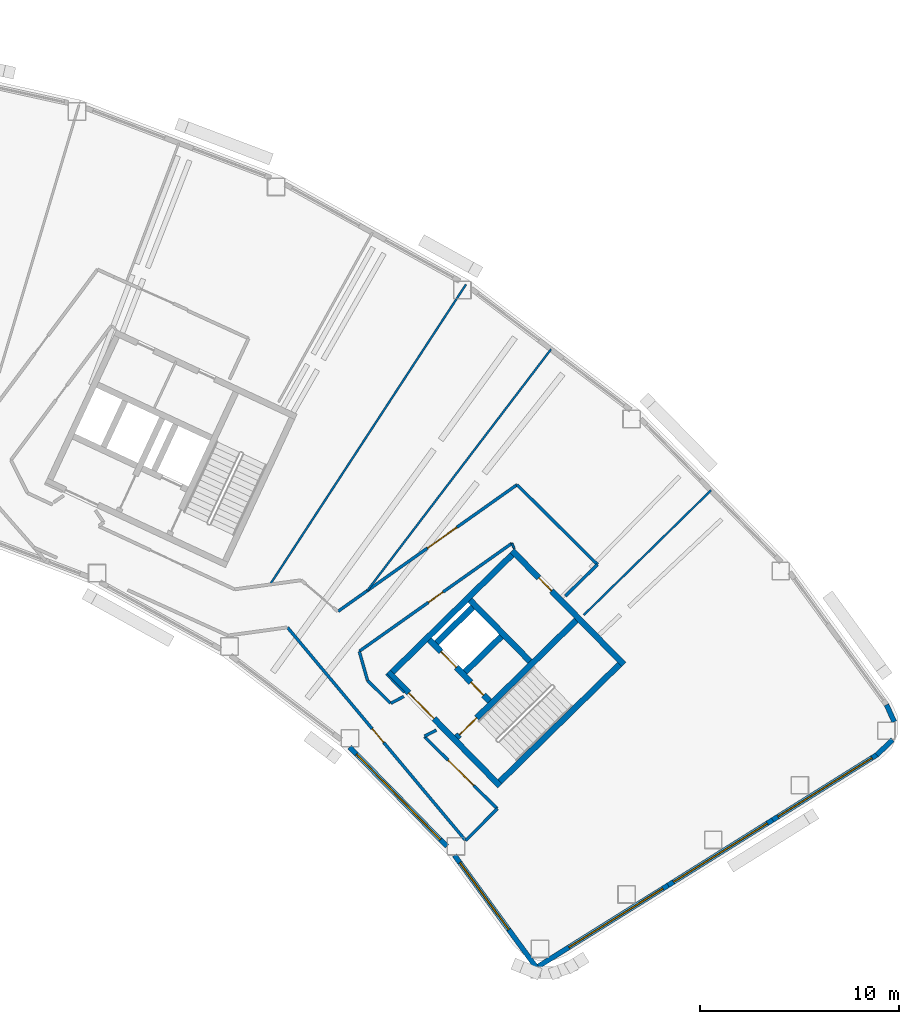
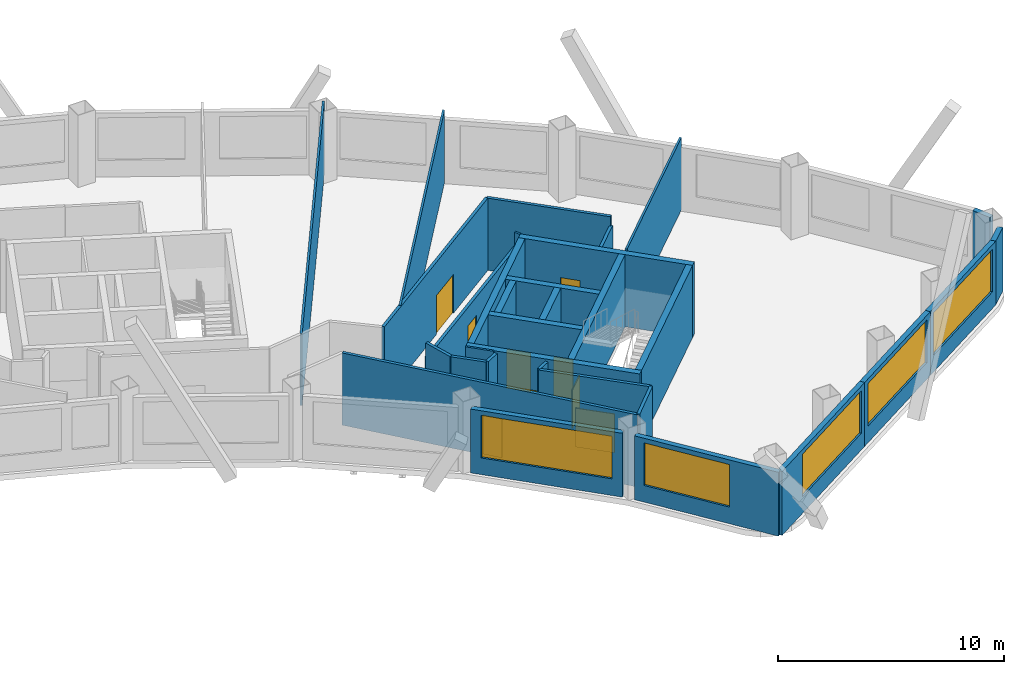
# One storey, part 9 of 14: 32 walls, 9 doors, 5 windows, 14 openings.
"""IFC4 building model written with IfcOpenShell, lengths in metres."""

from ifc_helpers import new_model, si_unit, direction, frame, frame_2d, origin, place, context, subcontext, project, spatial, rectangle, extrude, material, layer, layer_set, type_object, element, fill, save


model = new_model("IFC4")

# Units and contexts
model_context = context("Model", 3, precision=1e-05, world=origin(), true_north=direction((0.0, 1.0)))
body_context = subcontext(model_context, "Body", "Model", "MODEL_VIEW")
ifc_project = project(units=[si_unit("LENGTHUNIT", "METRE"), si_unit("AREAUNIT", "SQUARE_METRE"), si_unit("VOLUMEUNIT", "CUBIC_METRE"), si_unit("PLANEANGLEUNIT", "RADIAN"), si_unit("MASSUNIT", "GRAM", prefix="KILO")], contexts=[model_context])

# Site, building, storey
site_placement = place(None, origin())
site = spatial("IfcSite", under=ifc_project, at=site_placement, CompositionType="ELEMENT")
building_placement = place(site_placement, origin())
building = spatial("IfcBuilding", under=site, at=building_placement, Name="Tuul Gate Civic Tower", CompositionType="ELEMENT")
storey_placement = place(building_placement, frame((0.0, 0.0, 209.5)))
storey = spatial("IfcBuildingStorey", under=building, at=storey_placement, Name="Level 47", CompositionType="ELEMENT", Elevation=209.5)

# Wall, opening, door
ifc_material_1 = material(Name="Concrete C50/60", Category="concrete")
ifc_layer_1 = layer(ifc_material_1, 0.300048828125)
ifc_layer_set_1 = layer_set([ifc_layer_1], Name="Concrete C50/60")
wall_type_1 = type_object("IfcWallType", Name="Core wall C50/60", PredefinedType="SHEAR", material=ifc_layer_set_1)
wall_1_placement = place(storey_placement, frame((48.22509765625, -18.327880859375, 0.0), z_axis=(0.0, 0.0, 1.0), x_axis=(-0.700021979774, 0.714121297703, 0.0)))
wall_1 = element("IfcWall", 1, at=wall_1_placement, inside=storey, type_object=wall_type_1, Name="Core wall", PredefinedType="SHEAR", context=body_context, shape_type="SweptSolid", body=[
    extrude(rectangle(XDim=8.0, YDim=0.300048828125, at=frame_2d((4.0, 0.0))), origin(), (0.0, 0.0, 1.0), 3.89990234375),
])
opening_1_placement = place(wall_1_placement, frame((4.72509765625, 0.0, 0.0)))
opening_1 = element("IfcOpeningElement", 2, at=opening_1_placement, cuts=wall_1, Name="Opening LB-E1-LOBBY-1", PredefinedType="OPENING", context=body_context, shape_type="SweptSolid", body=[
    extrude(rectangle(XDim=1.800048828125, YDim=2.10009765625, at=frame_2d((0.89990234375, 1.050048828125))), frame((0.0, 0.16015625, 0.0), z_axis=(0.0, -1.0, 0.0), x_axis=(1.0, 0.0, 0.0)), (0.0, 0.0, 1.0), 0.320068359375),
])
ifc_material_2 = material(Name="Steel", Category="steel")
door_type_1 = type_object("IfcDoorType", Name="Lobby door", OperationType="DOUBLE_DOOR_SINGLE_SWING", PredefinedType="DOOR", material=ifc_material_2)
door_1_placement = place(opening_1_placement, frame((1.800048828125, 0.0, 0.0), z_axis=(0.0, 0.0, 1.0), x_axis=(-1.0, 0.0, 0.0)))
door_1 = element("IfcDoor", 3, at=door_1_placement, inside=storey, type_object=door_type_1, Name="Lobby door E1-LOBBY", OperationType="DOUBLE_DOOR_SINGLE_SWING", OverallHeight=2.10009765625, OverallWidth=1.800048828125, PredefinedType="DOOR", context=body_context, shape_type="SweptSolid", body=[
    extrude(rectangle(XDim=1.800048828125, YDim=2.10009765625, at=frame_2d((0.900146484375, 1.050048828125))), frame((0.0, 0.02490234375, 0.0), z_axis=(0.0, -1.0, 0.0), x_axis=(1.0, 0.0, 0.0)), (0.0, 0.0, 1.0), 0.050048828125),
])
fill(opening_1, door_1)

# Wall, openings, doors
wall_2_placement = place(storey_placement, frame((47.701904296875, -14.079833984375, 0.0), z_axis=(0.0, 0.0, 1.0), x_axis=(-0.700002721075, 0.714140175657, 0.0)))
wall_2 = element("IfcWall", 4, at=wall_2_placement, inside=storey, type_object=wall_type_1, Name="Core wall", PredefinedType="SHEAR", context=body_context, shape_type="SweptSolid", body=[
    extrude(rectangle(XDim=4.300048828125, YDim=0.300048828125, at=frame_2d((2.14990234375, 0.0))), origin(), (0.0, 0.0, 1.0), 3.89990234375),
])
opening_2_placement = place(wall_2_placement, frame((0.425048828125, 0.0, 0.0)))
opening_2 = element("IfcOpeningElement", 5, at=opening_2_placement, cuts=wall_2, Name="Opening FB-E1A1", PredefinedType="OPENING", context=body_context, shape_type="SweptSolid", body=[
    extrude(rectangle(XDim=0.89990234375, YDim=2.10009765625, at=frame_2d((0.449951171875, 1.050048828125))), frame((0.0, 0.16015625, 0.0), z_axis=(0.0, -1.0, 0.0), x_axis=(1.0, 0.0, 0.0)), (0.0, 0.0, 1.0), 0.320068359375),
])
opening_3_placement = place(wall_2_placement, frame((2.375, 0.0, 0.0)))
opening_3 = element("IfcOpeningElement", 6, at=opening_3_placement, cuts=wall_2, Name="Opening LD-M3", PredefinedType="OPENING", context=body_context, shape_type="SweptSolid", body=[
    extrude(rectangle(XDim=1.10009765625, YDim=2.10009765625, at=frame_2d((0.550048828125, 1.050048828125))), frame((0.0, 0.16015625, 0.0), z_axis=(0.0, -1.0, 0.0), x_axis=(1.0, 0.0, 0.0)), (0.0, 0.0, 1.0), 0.320068359375),
])
ifc_material_3 = material(Name="Stainless steel", Category="steel")
door_type_2 = type_object("IfcDoorType", Name="Landing door", OperationType="DOUBLE_DOOR_SLIDING", PredefinedType="DOOR", material=ifc_material_3)
door_2_placement = place(opening_3_placement, origin())
door_2 = element("IfcDoor", 7, at=door_2_placement, inside=storey, type_object=door_type_2, Name="Mid-rise lift M3 landing door", OperationType="DOUBLE_DOOR_SLIDING", OverallHeight=2.10009765625, OverallWidth=1.10009765625, PredefinedType="DOOR", context=body_context, shape_type="SweptSolid", body=[
    extrude(rectangle(XDim=1.10009765625, YDim=2.10009765625, at=frame_2d((0.550048828125, 1.050048828125))), frame((0.0, 0.02490234375, 0.0), z_axis=(0.0, -1.0, 0.0), x_axis=(1.0, 0.0, 0.0)), (0.0, 0.0, 1.0), 0.050048828125),
])
fill(opening_3, door_2)
ifc_material_4 = material(Name="Steel", Category="steel")
door_type_3 = type_object("IfcDoorType", Name="Store door", OperationType="NOTDEFINED", PredefinedType="DOOR", material=ifc_material_4)
door_3_placement = place(opening_2_placement, frame((0.89990234375, 0.0, 0.0), z_axis=(0.0, 0.0, 1.0), x_axis=(-1.0, 0.0, 0.0)))
door_3 = element("IfcDoor", 8, at=door_3_placement, inside=storey, type_object=door_type_3, Name="Store door E1A1", OperationType="SINGLE_SWING_RIGHT", OverallHeight=2.10009765625, OverallWidth=0.89990234375, PredefinedType="DOOR", context=body_context, shape_type="SweptSolid", body=[
    extrude(rectangle(XDim=0.89990234375, YDim=2.10009765625, at=frame_2d((0.449951171875, 1.050048828125))), frame((0.0, 0.02490234375, 0.0), z_axis=(0.0, -1.0, 0.0), x_axis=(1.0, 0.0, 0.0)), (0.0, 0.0, 1.0), 0.050048828125),
])
fill(opening_2, door_3)

# Wall
wall_3_placement = place(storey_placement, frame((49.737060546875, -12.0849609375, 0.0), z_axis=(0.0, 0.0, 1.0), x_axis=(-0.700002721075, 0.714140175657, 0.0)))
element("IfcWall", 9, at=wall_3_placement, inside=storey, type_object=wall_type_1, Name="Core wall", PredefinedType="SHEAR", context=body_context, shape_type="SweptSolid", body=[
    extrude(rectangle(XDim=4.300048828125, YDim=0.300048828125, at=frame_2d((2.14990234375, 0.0))), origin(), (0.0, 0.0, 1.0), 3.89990234375),
])

# Wall, opening, door
wall_4_placement = place(storey_placement, frame((54.43798828125, -12.23779296875, 0.0), z_axis=(0.0, 0.0, 1.0), x_axis=(-0.700021979774, 0.714121297703, 0.0)))
wall_4 = element("IfcWall", 10, at=wall_4_placement, inside=storey, type_object=wall_type_1, Name="Core wall", PredefinedType="SHEAR", context=body_context, shape_type="SweptSolid", body=[
    extrude(rectangle(XDim=8.0, YDim=0.300048828125, at=frame_2d((4.0, 0.0))), origin(), (0.0, 0.0, 1.0), 3.89990234375),
])
opening_4_placement = place(wall_4_placement, frame((5.175048828125, 0.0, 0.0)))
opening_4 = element("IfcOpeningElement", 11, at=opening_4_placement, cuts=wall_4, Name="Opening Q-D28", PredefinedType="OPENING", context=body_context, shape_type="SweptSolid", body=[
    extrude(rectangle(XDim=0.89990234375, YDim=2.10009765625, at=frame_2d((0.449951171875, 1.050048828125))), frame((0.0, 0.16015625, 0.0), z_axis=(0.0, -1.0, 0.0), x_axis=(1.0, 0.0, 0.0)), (0.0, 0.0, 1.0), 0.320068359375),
])
ifc_material_5 = material(Name="Timber door leaf", Category="wood")
door_type_4 = type_object("IfcDoorType", Name="Door D09", OperationType="NOTDEFINED", PredefinedType="DOOR", material=ifc_material_5)
door_4_placement = place(opening_4_placement, origin())
door_4 = element("IfcDoor", 12, at=door_4_placement, inside=storey, type_object=door_type_4, Name="Door Q-D28", OperationType="SINGLE_SWING_LEFT", OverallHeight=2.10009765625, OverallWidth=0.89990234375, PredefinedType="DOOR", context=body_context, shape_type="SweptSolid", body=[
    extrude(rectangle(XDim=0.89990234375, YDim=2.10009765625, at=frame_2d((0.449951171875, 1.050048828125))), frame((0.0, 0.02490234375, 0.0), z_axis=(0.0, -1.0, 0.0), x_axis=(1.0, 0.0, 0.0)), (0.0, 0.0, 1.0), 0.050048828125),
])
fill(opening_4, door_4)

# Wall
wall_5_placement = place(storey_placement, frame((48.227294921875, -18.115966796875, 0.0), z_axis=(0.0, 0.0, 1.0), x_axis=(0.714105315431, 0.700038283577, 0.0)))
element("IfcWall", 13, at=wall_5_placement, inside=storey, type_object=wall_type_1, Name="Core wall", PredefinedType="SHEAR", context=body_context, shape_type="SweptSolid", body=[
    extrude(rectangle(XDim=8.400146484375, YDim=0.300048828125, at=frame_2d((4.2001953125, 0.0))), origin(), (0.0, 0.0, 1.0), 3.89990234375),
])

# Wall, opening, door
wall_6_placement = place(storey_placement, frame((46.05712890625, -15.902099609375, 0.0), z_axis=(0.0, 0.0, 1.0), x_axis=(0.714134086973, 0.700008932674, 0.0)))
wall_6 = element("IfcWall", 14, at=wall_6_placement, inside=storey, type_object=wall_type_1, Name="Core wall", PredefinedType="SHEAR", context=body_context, shape_type="SweptSolid", body=[
    extrude(rectangle(XDim=8.400146484375, YDim=0.300048828125, at=frame_2d((4.2001953125, 0.0))), origin(), (0.0, 0.0, 1.0), 3.89990234375),
])
opening_5_placement = place(wall_6_placement, frame((0.199951171875, 0.0, 0.0)))
opening_5 = element("IfcOpeningElement", 15, at=opening_5_placement, cuts=wall_6, Name="Opening SD-ST-3", PredefinedType="OPENING", context=body_context, shape_type="SweptSolid", body=[
    extrude(rectangle(XDim=1.199951171875, YDim=2.10009765625, at=frame_2d((0.60009765625, 1.050048828125))), frame((0.0, 0.16015625, 0.0), z_axis=(0.0, -1.0, 0.0), x_axis=(1.0, 0.0, 0.0)), (0.0, 0.0, 1.0), 0.320068359375),
])
ifc_material_6 = material(Name="Steel", Category="steel")
door_type_5 = type_object("IfcDoorType", Name="Stair door", OperationType="NOTDEFINED", PredefinedType="DOOR", material=ifc_material_6)
door_5_placement = place(opening_5_placement, origin())
door_5 = element("IfcDoor", 16, at=door_5_placement, inside=storey, type_object=door_type_5, Name="Stair door ST-3", OperationType="SINGLE_SWING_LEFT", OverallHeight=2.10009765625, OverallWidth=1.199951171875, PredefinedType="DOOR", context=body_context, shape_type="SweptSolid", body=[
    extrude(rectangle(XDim=1.199951171875, YDim=2.10009765625, at=frame_2d((0.60009765625, 1.050048828125))), frame((0.0, 0.02490234375, 0.0), z_axis=(0.0, -1.0, 0.0), x_axis=(1.0, 0.0, 0.0)), (0.0, 0.0, 1.0), 0.050048828125),
])
fill(opening_5, door_5)

# Walls
wall_7_placement = place(storey_placement, frame((46.47900390625, -12.617919921875, 0.0), z_axis=(0.0, 0.0, 1.0), x_axis=(0.71410944159, 0.700034074479, 0.0)))
element("IfcWall", 17, at=wall_7_placement, inside=storey, type_object=wall_type_1, Name="Core wall", PredefinedType="SHEAR", context=body_context, shape_type="SweptSolid", body=[
    extrude(rectangle(XDim=2.5498046875, YDim=0.300048828125, at=frame_2d((1.27490234375, 0.0))), origin(), (0.0, 0.0, 1.0), 3.89990234375),
])
wall_8_placement = place(storey_placement, frame((45.0439453125, -11.154052734375, 0.0), z_axis=(0.0, 0.0, 1.0), x_axis=(0.714108498262, 0.700035036773, 0.0)))
element("IfcWall", 18, at=wall_8_placement, inside=storey, type_object=wall_type_1, Name="Core wall", PredefinedType="SHEAR", context=body_context, shape_type="SweptSolid", body=[
    extrude(rectangle(XDim=2.550048828125, YDim=0.300048828125, at=frame_2d((1.27490234375, 0.0))), origin(), (0.0, 0.0, 1.0), 3.89990234375),
])
wall_9_placement = place(storey_placement, frame((42.837158203125, -12.616943359375, 0.0), z_axis=(0.0, 0.0, 1.0), x_axis=(0.714119844755, 0.700023461983, 0.0)))
element("IfcWall", 19, at=wall_9_placement, inside=storey, type_object=wall_type_1, Name="Core wall", PredefinedType="SHEAR", context=body_context, shape_type="SweptSolid", body=[
    extrude(rectangle(XDim=8.39990234375, YDim=0.300048828125, at=frame_2d((4.199951171875, 0.0))), origin(), (0.0, 0.0, 1.0), 3.89990234375),
])

# Wall, opening, door
ifc_material_7 = material(Name="Gypsum board partition")
ifc_layer_2 = layer(ifc_material_7, 0.14990234375)
ifc_layer_set_2 = layer_set([ifc_layer_2], Name="Gypsum board partition")
wall_type_2 = type_object("IfcWallType", Name="Corridor wall P150", PredefinedType="PARTITIONING", material=ifc_layer_set_2)
wall_10_placement = place(storey_placement, frame((37.57421875, -10.383544921875, 0.0), z_axis=(0.0, 0.0, 1.0), x_axis=(0.641390037822, -0.767214975989, 0.0)))
wall_10 = element("IfcWall", 20, at=wall_10_placement, inside=storey, type_object=wall_type_2, Name="p003", PredefinedType="PARTITIONING", context=body_context, shape_type="SweptSolid", body=[
    extrude(rectangle(XDim=13.933349609375, YDim=0.14990234375, at=frame_2d((6.966796875, 0.0))), origin(), (0.0, 0.0, 1.0), 3.89990234375),
])
opening_6_placement = place(wall_10_placement, frame((6.616943359375, 0.0, 0.0)))
opening_6 = element("IfcOpeningElement", 21, at=opening_6_placement, cuts=wall_10, Name="Opening Q-D21", PredefinedType="OPENING", context=body_context, shape_type="SweptSolid", body=[
    extrude(rectangle(XDim=0.89990234375, YDim=2.10009765625, at=frame_2d((0.449951171875, 1.050048828125))), frame((0.0, 0.0849609375, 0.0), z_axis=(0.0, -1.0, 0.0), x_axis=(1.0, 0.0, 0.0)), (0.0, 0.0, 1.0), 0.169921875),
])
door_6_placement = place(opening_6_placement, frame((0.89990234375, 0.0, 0.0), z_axis=(0.0, 0.0, 1.0), x_axis=(-1.0, 0.0, 0.0)))
door_6 = element("IfcDoor", 22, at=door_6_placement, inside=storey, type_object=door_type_4, Name="Door Q-D21", OperationType="SINGLE_SWING_LEFT", OverallHeight=2.10009765625, OverallWidth=0.89990234375, PredefinedType="DOOR", context=body_context, shape_type="SweptSolid", body=[
    extrude(rectangle(XDim=0.89990234375, YDim=2.10009765625, at=frame_2d((0.449951171875, 1.050048828125))), frame((0.0, 0.02490234375, 0.0), z_axis=(0.0, -1.0, 0.0), x_axis=(1.0, 0.0, 0.0)), (0.0, 0.0, 1.0), 0.050048828125),
])
fill(opening_6, door_6)

# Walls
wall_11_placement = place(storey_placement, frame((46.510986328125, -21.073486328125, 0.0), z_axis=(0.0, 0.0, 1.0), x_axis=(0.702862622196, 0.711325617647, 0.0)))
element("IfcWall", 23, at=wall_11_placement, inside=storey, type_object=wall_type_2, Name="p004", PredefinedType="PARTITIONING", context=body_context, shape_type="SweptSolid", body=[
    extrude(rectangle(XDim=2.250244140625, YDim=0.14990234375, at=frame_2d((1.125, 0.0))), origin(), (0.0, 0.0, 1.0), 3.89990234375),
])
wall_12_placement = place(storey_placement, frame((41.590087890625, -13.047119140625, 0.0), z_axis=(0.0, 0.0, 1.0), x_axis=(0.711334510502, -0.70285362215, 0.0)))
element("IfcWall", 24, at=wall_12_placement, inside=storey, type_object=wall_type_2, Name="p005", PredefinedType="PARTITIONING", context=body_context, shape_type="SweptSolid", body=[
    extrude(rectangle(XDim=1.612060546875, YDim=0.14990234375, at=frame_2d((0.80615234375, 0.0))), origin(), (0.0, 0.0, 1.0), 3.89990234375),
])

# Wall, opening, door
wall_13_placement = place(storey_placement, frame((44.4462890625, -15.869384765625, 0.0), z_axis=(0.0, 0.0, 1.0), x_axis=(0.711261585743, -0.702927419188, 0.0)))
wall_13 = element("IfcWall", 25, at=wall_13_placement, inside=storey, type_object=wall_type_2, Name="p006", PredefinedType="PARTITIONING", context=body_context, shape_type="SweptSolid", body=[
    extrude(rectangle(XDim=5.12646484375, YDim=0.14990234375, at=frame_2d((2.563232421875, 0.0))), origin(), (0.0, 0.0, 1.0), 3.89990234375),
])
opening_7_placement = place(wall_13_placement, frame((1.663330078125, 0.0, 0.0)))
opening_7 = element("IfcOpeningElement", 26, at=opening_7_placement, cuts=wall_13, Name="Opening Q-D01", PredefinedType="OPENING", context=body_context, shape_type="SweptSolid", body=[
    extrude(rectangle(XDim=1.800048828125, YDim=2.10009765625, at=frame_2d((0.89990234375, 1.050048828125))), frame((0.0, 0.0849609375, 0.0), z_axis=(0.0, -1.0, 0.0), x_axis=(1.0, 0.0, 0.0)), (0.0, 0.0, 1.0), 0.169921875),
])
ifc_material_8 = material(Name="Timber door leaf, double", Category="wood")
door_type_6 = type_object("IfcDoorType", Name="Door D18", OperationType="DOUBLE_DOOR_SINGLE_SWING", PredefinedType="DOOR", material=ifc_material_8)
door_7_placement = place(opening_7_placement, frame((1.800048828125, 0.0, 0.0), z_axis=(0.0, 0.0, 1.0), x_axis=(-1.0, 0.0, 0.0)))
door_7 = element("IfcDoor", 27, at=door_7_placement, inside=storey, type_object=door_type_6, Name="Door Q-D01", OperationType="DOUBLE_DOOR_SINGLE_SWING", OverallHeight=2.10009765625, OverallWidth=1.800048828125, PredefinedType="DOOR", context=body_context, shape_type="SweptSolid", body=[
    extrude(rectangle(XDim=1.800048828125, YDim=2.10009765625, at=frame_2d((0.900146484375, 1.050048828125))), frame((0.0, 0.02490234375, 0.0), z_axis=(0.0, -1.0, 0.0), x_axis=(1.0, 0.0, 0.0)), (0.0, 0.0, 1.0), 0.050048828125),
])
fill(opening_7, door_7)

# Walls
wall_14_placement = place(storey_placement, frame((44.450927734375, -15.83740234375, 0.0), z_axis=(0.0, 0.0, 1.0), x_axis=(0.885592182656, 0.464463654141, 0.0)))
element("IfcWall", 28, at=wall_14_placement, inside=storey, type_object=wall_type_2, Name="p007", PredefinedType="PARTITIONING", context=body_context, shape_type="SweptSolid", body=[
    extrude(rectangle(XDim=0.6591796875, YDim=0.14990234375, at=frame_2d((0.32958984375, 0.0))), origin(), (0.0, 0.0, 1.0), 3.89990234375),
])
wall_15_placement = place(storey_placement, frame((49.084228515625, -3.223876953125, 0.0), z_axis=(0.0, 0.0, 1.0), x_axis=(0.709892742932, -0.704309799401, 0.0)))
element("IfcWall", 29, at=wall_15_placement, inside=storey, type_object=wall_type_2, Name="p010", PredefinedType="PARTITIONING", context=body_context, shape_type="SweptSolid", body=[
    extrude(rectangle(XDim=5.684814453125, YDim=0.14990234375, at=frame_2d((2.84228515625, 0.0))), origin(), (0.0, 0.0, 1.0), 3.89990234375),
])

# Wall, opening, door
wall_16_placement = place(storey_placement, frame((40.111572265625, -9.5712890625, 0.0), z_axis=(0.0, 0.0, 1.0), x_axis=(0.816354840619, 0.577550668079, 0.0)))
wall_16 = element("IfcWall", 30, at=wall_16_placement, inside=storey, type_object=wall_type_2, Name="p011", PredefinedType="PARTITIONING", context=body_context, shape_type="SweptSolid", body=[
    extrude(rectangle(XDim=10.990234375, YDim=0.14990234375, at=frame_2d((5.4951171875, 0.0))), origin(), (0.0, 0.0, 1.0), 3.89990234375),
])
opening_8_placement = place(wall_16_placement, frame((5.486572265625, 0.0, 0.0)))
opening_8 = element("IfcOpeningElement", 31, at=opening_8_placement, cuts=wall_16, Name="Opening Q-D02", PredefinedType="OPENING", context=body_context, shape_type="SweptSolid", body=[
    extrude(rectangle(XDim=1.800048828125, YDim=2.10009765625, at=frame_2d((0.89990234375, 1.050048828125))), frame((0.0, 0.0849609375, 0.0), z_axis=(0.0, -1.0, 0.0), x_axis=(1.0, 0.0, 0.0)), (0.0, 0.0, 1.0), 0.169921875),
])
door_8_placement = place(opening_8_placement, origin())
door_8 = element("IfcDoor", 32, at=door_8_placement, inside=storey, type_object=door_type_6, Name="Door Q-D02", OperationType="DOUBLE_DOOR_SINGLE_SWING", OverallHeight=2.10009765625, OverallWidth=1.800048828125, PredefinedType="DOOR", context=body_context, shape_type="SweptSolid", body=[
    extrude(rectangle(XDim=1.800048828125, YDim=2.10009765625, at=frame_2d((0.89990234375, 1.050048828125))), frame((0.0, 0.02490234375, 0.0), z_axis=(0.0, -1.0, 0.0), x_axis=(1.0, 0.0, 0.0)), (0.0, 0.0, 1.0), 0.050048828125),
])
fill(opening_8, door_8)

# Walls
wall_17_placement = place(storey_placement, frame((42.76025390625, -14.18359375, 0.0), z_axis=(0.0, 0.0, 1.0), x_axis=(0.885589945599, 0.46446791951, 0.0)))
element("IfcWall", 33, at=wall_17_placement, inside=storey, type_object=wall_type_2, Name="p072", PredefinedType="PARTITIONING", context=body_context, shape_type="SweptSolid", body=[
    extrude(rectangle(XDim=0.732177734375, YDim=0.14990234375, at=frame_2d((0.3662109375, 0.0))), origin(), (0.0, 0.0, 1.0), 3.89990234375),
])
wall_18_placement = place(storey_placement, frame((41.17578125, -11.590576171875, 0.0), z_axis=(0.0, 0.0, 1.0), x_axis=(0.272169367625, -0.962249362342, 0.0)))
element("IfcWall", 34, at=wall_18_placement, inside=storey, type_object=wall_type_2, Name="p073", PredefinedType="PARTITIONING", context=body_context, shape_type="SweptSolid", body=[
    extrude(rectangle(XDim=1.50439453125, YDim=0.14990234375, at=frame_2d((0.752197265625, 0.0))), origin(), (0.0, 0.0, 1.0), 3.89990234375),
])

# Wall, opening, door
ifc_material_9 = material(Name="Gypsum board partition")
ifc_layer_3 = layer(ifc_material_9, 0.14990234375)
ifc_layer_set_3 = layer_set([ifc_layer_3], Name="Gypsum board partition")
wall_type_3 = type_object("IfcWallType", Name="Corridor wall P150 3100 HIGH", PredefinedType="PARTITIONING", material=ifc_layer_set_3)
wall_19_placement = place(storey_placement, frame((41.18359375, -11.56884765625, 0.0), z_axis=(0.0, 0.0, 1.0), x_axis=(0.816366162126, 0.577534665051, 0.0)))
wall_19 = element("IfcWall", 35, at=wall_19_placement, inside=storey, type_object=wall_type_3, Name="p074", PredefinedType="PARTITIONING", context=body_context, shape_type="SweptSolid", body=[
    extrude(rectangle(XDim=9.362548828125, YDim=0.14990234375, at=frame_2d((4.68115234375, 0.0))), origin(), (0.0, 0.0, 1.0), 3.10009765625),
])
opening_9_placement = place(wall_19_placement, frame((4.2314453125, 0.0, 0.0)))
opening_9 = element("IfcOpeningElement", 36, at=opening_9_placement, cuts=wall_19, Name="Opening Q-D23", PredefinedType="OPENING", context=body_context, shape_type="SweptSolid", body=[
    extrude(rectangle(XDim=0.89990234375, YDim=2.10009765625, at=frame_2d((0.449951171875, 1.050048828125))), frame((0.0, 0.0849609375, 0.0), z_axis=(0.0, -1.0, 0.0), x_axis=(1.0, 0.0, 0.0)), (0.0, 0.0, 1.0), 0.169921875),
])
door_9_placement = place(opening_9_placement, frame((0.89990234375, 0.0, 0.0), z_axis=(0.0, 0.0, 1.0), x_axis=(-1.0, 0.0, 0.0)))
door_9 = element("IfcDoor", 37, at=door_9_placement, inside=storey, type_object=door_type_4, Name="Door Q-D23", OperationType="SINGLE_SWING_LEFT", OverallHeight=2.10009765625, OverallWidth=0.89990234375, PredefinedType="DOOR", context=body_context, shape_type="SweptSolid", body=[
    extrude(rectangle(XDim=0.89990234375, YDim=2.10009765625, at=frame_2d((0.449951171875, 1.050048828125))), frame((0.0, 0.02490234375, 0.0), z_axis=(0.0, -1.0, 0.0), x_axis=(1.0, 0.0, 0.0)), (0.0, 0.0, 1.0), 0.050048828125),
])
fill(opening_9, door_9)

# Walls
ifc_material_10 = material(Name="Gypsum board partition")
ifc_layer_4 = layer(ifc_material_10, 0.14990234375)
ifc_layer_set_4 = layer_set([ifc_layer_4], Name="Gypsum board partition")
wall_type_4 = type_object("IfcWallType", Name="Corridor wall P150 3400 HIGH", PredefinedType="PARTITIONING", material=ifc_layer_set_4)
wall_20_placement = place(storey_placement, frame((51.50244140625, -8.814208984375, 0.0), z_axis=(0.0, 0.0, 1.0), x_axis=(0.714078121685, 0.700066022694, 0.0)))
element("IfcWall", 38, at=wall_20_placement, inside=storey, type_object=wall_type_4, Name="p009", PredefinedType="PARTITIONING", context=body_context, shape_type="SweptSolid", body=[
    extrude(rectangle(XDim=2.26513671875, YDim=0.14990234375, at=frame_2d((1.132568359375, 0.0))), origin(), (0.0, 0.0, 1.0), 3.39990234375),
])
ifc_material_11 = material(Name="Precast concrete C40/50", Category="concrete")
ifc_layer_5 = layer(ifc_material_11, 0.25)
ifc_layer_set_5 = layer_set([ifc_layer_5], Name="Precast concrete C40/50")
wall_type_5 = type_object("IfcWallType", Name="External wall", PredefinedType="STANDARD", material=ifc_layer_set_5)
wall_21_placement = place(storey_placement, frame((67.129638671875, -16.775634765625, 0.0), z_axis=(0.0, 0.0, 1.0), x_axis=(0.722112640162, 0.691775494592, 0.0)))
element("IfcWall", 39, at=wall_21_placement, inside=storey, type_object=wall_type_5, Name="External wall", PredefinedType="STANDARD", context=body_context, shape_type="SweptSolid", body=[
    extrude(rectangle(XDim=1.1025390625, YDim=0.25, at=frame_2d((0.55126953125, 0.0))), origin(), (0.0, 0.0, 1.0), 3.449951171875),
])
wall_22_placement = place(storey_placement, frame((68.0029296875, -15.113037109375, 0.0), z_axis=(0.0, 0.0, 1.0), x_axis=(-0.411921142617, 0.911219497303, 0.0)))
element("IfcWall", 40, at=wall_22_placement, inside=storey, type_object=wall_type_5, Name="External wall", PredefinedType="STANDARD", context=body_context, shape_type="SweptSolid", body=[
    extrude(rectangle(XDim=0.938720703125, YDim=0.25, at=frame_2d((0.46923828125, 0.0))), origin(), (0.0, 0.0, 1.0), 3.449951171875),
])

# Wall, opening, window
wall_23_placement = place(storey_placement, frame((40.69287109375, -16.387939453125, 0.0), z_axis=(0.0, 0.0, 1.0), x_axis=(0.700029726531, -0.714113703813, 0.0)))
wall_23 = element("IfcWall", 41, at=wall_23_placement, inside=storey, type_object=wall_type_5, Name="External wall", PredefinedType="STANDARD", context=body_context, shape_type="SweptSolid", body=[
    extrude(rectangle(XDim=6.968505859375, YDim=0.25, at=frame_2d((3.484375, 0.0))), origin(), (0.0, 0.0, 1.0), 3.449951171875),
])
opening_10_placement = place(wall_23_placement, frame((0.484130859375, 0.0, 0.89990234375)))
opening_10 = element("IfcOpeningElement", 42, at=opening_10_placement, cuts=wall_23, Name="Opening W26", PredefinedType="OPENING", context=body_context, shape_type="SweptSolid", body=[
    extrude(rectangle(XDim=6.0, YDim=2.300048828125, at=frame_2d((3.0, 1.14990234375))), frame((0.0, 0.135009765625, 0.0), z_axis=(0.0, -1.0, 0.0), x_axis=(1.0, 0.0, 0.0)), (0.0, 0.0, 1.0), 0.27001953125),
])
ifc_material_12 = material(Name="Glass", Category="glass")
window_type_1 = type_object("IfcWindowType", Name="Window W26 6000 x 2300", PartitioningType="SINGLE_PANEL", PredefinedType="WINDOW", material=ifc_material_12)
window_1_placement = place(opening_10_placement, origin())
window_1 = element("IfcWindow", 43, at=window_1_placement, inside=storey, type_object=window_type_1, Name="Window", OverallHeight=2.300048828125, OverallWidth=6.0, PartitioningType="SINGLE_PANEL", PredefinedType="WINDOW", context=body_context, shape_type="SweptSolid", body=[
    extrude(rectangle(XDim=6.0, YDim=2.300048828125, at=frame_2d((3.0, 1.14990234375))), frame((0.0, 0.030029296875, 0.0), z_axis=(0.0, -1.0, 0.0), x_axis=(1.0, 0.0, 0.0)), (0.0, 0.0, 1.0), 0.06005859375),
])
fill(opening_10, window_1)

wall_24_placement = place(storey_placement, frame((45.947265625, -21.80908203125, 0.0), z_axis=(0.0, 0.0, 1.0), x_axis=(0.589742622716, -0.807591257353, 0.0)))
wall_24 = element("IfcWall", 44, at=wall_24_placement, inside=storey, type_object=wall_type_5, Name="External wall", PredefinedType="STANDARD", context=body_context, shape_type="SweptSolid", body=[
    extrude(rectangle(XDim=6.971923828125, YDim=0.25, at=frame_2d((3.48583984375, 0.0))), origin(), (0.0, 0.0, 1.0), 3.449951171875),
])
opening_11_placement = place(wall_24_placement, frame((0.465576171875, 0.0, 0.89990234375)))
opening_11 = element("IfcOpeningElement", 45, at=opening_11_placement, cuts=wall_24, Name="Opening W25", PredefinedType="OPENING", context=body_context, shape_type="SweptSolid", body=[
    extrude(rectangle(XDim=4.14990234375, YDim=2.300048828125, at=frame_2d((2.074951171875, 1.14990234375))), frame((0.0, 0.135009765625, 0.0), z_axis=(0.0, -1.0, 0.0), x_axis=(1.0, 0.0, 0.0)), (0.0, 0.0, 1.0), 0.27001953125),
])
ifc_material_13 = material(Name="Glass", Category="glass")
window_type_2 = type_object("IfcWindowType", Name="Window W25 4150 x 2300", PartitioningType="SINGLE_PANEL", PredefinedType="WINDOW", material=ifc_material_13)
window_2_placement = place(opening_11_placement, origin())
window_2 = element("IfcWindow", 46, at=window_2_placement, inside=storey, type_object=window_type_2, Name="Window", OverallHeight=2.300048828125, OverallWidth=4.14990234375, PartitioningType="SINGLE_PANEL", PredefinedType="WINDOW", context=body_context, shape_type="SweptSolid", body=[
    extrude(rectangle(XDim=4.14990234375, YDim=2.300048828125, at=frame_2d((2.074951171875, 1.14990234375))), frame((0.0, 0.030029296875, 0.0), z_axis=(0.0, -1.0, 0.0), x_axis=(1.0, 0.0, 0.0)), (0.0, 0.0, 1.0), 0.06005859375),
])
fill(opening_11, window_2)

wall_25_placement = place(storey_placement, frame((50.058837890625, -27.439453125, 0.0), z_axis=(0.0, 0.0, 1.0), x_axis=(0.848052898081, 0.529911579471, 0.0)))
wall_25 = element("IfcWall", 47, at=wall_25_placement, inside=storey, type_object=wall_type_5, Name="External wall", PredefinedType="STANDARD", context=body_context, shape_type="SweptSolid", body=[
    extrude(rectangle(XDim=7.78759765625, YDim=0.25, at=frame_2d((3.893798828125, 0.0))), origin(), (0.0, 0.0, 1.0), 3.449951171875),
])
opening_12_placement = place(wall_25_placement, frame((1.92138671875, 0.0, 0.89990234375)))
opening_12 = element("IfcOpeningElement", 48, at=opening_12_placement, cuts=wall_25, Name="Opening W24", PredefinedType="OPENING", context=body_context, shape_type="SweptSolid", body=[
    extrude(rectangle(XDim=5.550048828125, YDim=2.300048828125, at=frame_2d((2.77490234375, 1.14990234375))), frame((0.0, 0.135009765625, 0.0), z_axis=(0.0, -1.0, 0.0), x_axis=(1.0, 0.0, 0.0)), (0.0, 0.0, 1.0), 0.27001953125),
])
ifc_material_14 = material(Name="Glass", Category="glass")
window_type_3 = type_object("IfcWindowType", Name="Window W24 5550 x 2300", PartitioningType="SINGLE_PANEL", PredefinedType="WINDOW", material=ifc_material_14)
window_3_placement = place(opening_12_placement, origin())
window_3 = element("IfcWindow", 49, at=window_3_placement, inside=storey, type_object=window_type_3, Name="Window", OverallHeight=2.300048828125, OverallWidth=5.550048828125, PartitioningType="SINGLE_PANEL", PredefinedType="WINDOW", context=body_context, shape_type="SweptSolid", body=[
    extrude(rectangle(XDim=5.550048828125, YDim=2.300048828125, at=frame_2d((2.77490234375, 1.14990234375))), frame((0.0, 0.030029296875, 0.0), z_axis=(0.0, -1.0, 0.0), x_axis=(1.0, 0.0, 0.0)), (0.0, 0.0, 1.0), 0.06005859375),
])
fill(opening_12, window_3)

wall_26_placement = place(storey_placement, frame((56.6630859375, -23.312744140625, 0.0), z_axis=(0.0, 0.0, 1.0), x_axis=(0.848053758074, 0.529910203164, 0.0)))
wall_26 = element("IfcWall", 50, at=wall_26_placement, inside=storey, type_object=wall_type_5, Name="External wall", PredefinedType="STANDARD", context=body_context, shape_type="SweptSolid", body=[
    extrude(rectangle(XDim=6.182861328125, YDim=0.25, at=frame_2d((3.09130859375, 0.0))), origin(), (0.0, 0.0, 1.0), 3.449951171875),
])
opening_13_placement = place(wall_26_placement, frame((0.31640625, 0.0, 0.89990234375)))
opening_13 = element("IfcOpeningElement", 51, at=opening_13_placement, cuts=wall_26, Name="Opening W24", PredefinedType="OPENING", context=body_context, shape_type="SweptSolid", body=[
    extrude(rectangle(XDim=5.550048828125, YDim=2.300048828125, at=frame_2d((2.77490234375, 1.14990234375))), frame((0.0, 0.135009765625, 0.0), z_axis=(0.0, -1.0, 0.0), x_axis=(1.0, 0.0, 0.0)), (0.0, 0.0, 1.0), 0.27001953125),
])
window_4_placement = place(opening_13_placement, origin())
window_4 = element("IfcWindow", 52, at=window_4_placement, inside=storey, type_object=window_type_3, Name="Window", OverallHeight=2.300048828125, OverallWidth=5.550048828125, PartitioningType="SINGLE_PANEL", PredefinedType="WINDOW", context=body_context, shape_type="SweptSolid", body=[
    extrude(rectangle(XDim=5.550048828125, YDim=2.300048828125, at=frame_2d((2.77490234375, 1.14990234375))), frame((0.0, 0.030029296875, 0.0), z_axis=(0.0, -1.0, 0.0), x_axis=(1.0, 0.0, 0.0)), (0.0, 0.0, 1.0), 0.06005859375),
])
fill(opening_13, window_4)

wall_27_placement = place(storey_placement, frame((61.906494140625, -20.036376953125, 0.0), z_axis=(0.0, 0.0, 1.0), x_axis=(0.848042669488, 0.529927948619, 0.0)))
wall_27 = element("IfcWall", 53, at=wall_27_placement, inside=storey, type_object=wall_type_5, Name="External wall", PredefinedType="STANDARD", context=body_context, shape_type="SweptSolid", body=[
    extrude(rectangle(XDim=6.1826171875, YDim=0.25, at=frame_2d((3.09130859375, 0.0))), origin(), (0.0, 0.0, 1.0), 3.449951171875),
])
opening_14_placement = place(wall_27_placement, frame((0.31640625, 0.0, 0.89990234375)))
opening_14 = element("IfcOpeningElement", 54, at=opening_14_placement, cuts=wall_27, Name="Opening W24", PredefinedType="OPENING", context=body_context, shape_type="SweptSolid", body=[
    extrude(rectangle(XDim=5.550048828125, YDim=2.300048828125, at=frame_2d((2.77490234375, 1.14990234375))), frame((0.0, 0.135009765625, 0.0), z_axis=(0.0, -1.0, 0.0), x_axis=(1.0, 0.0, 0.0)), (0.0, 0.0, 1.0), 0.27001953125),
])
window_5_placement = place(opening_14_placement, origin())
window_5 = element("IfcWindow", 55, at=window_5_placement, inside=storey, type_object=window_type_3, Name="Window", OverallHeight=2.300048828125, OverallWidth=5.550048828125, PartitioningType="SINGLE_PANEL", PredefinedType="WINDOW", context=body_context, shape_type="SweptSolid", body=[
    extrude(rectangle(XDim=5.550048828125, YDim=2.300048828125, at=frame_2d((2.77490234375, 1.14990234375))), frame((0.0, 0.030029296875, 0.0), z_axis=(0.0, -1.0, 0.0), x_axis=(1.0, 0.0, 0.0)), (0.0, 0.0, 1.0), 0.06005859375),
])
fill(opening_14, window_5)

# Walls
ifc_material_15 = material(Name="Gypsum board partition")
ifc_layer_6 = layer(ifc_material_15, 0.10009765625)
ifc_layer_set_6 = layer_set([ifc_layer_6], Name="Gypsum board partition")
wall_type_6 = type_object("IfcWallType", Name="Partition P100", PredefinedType="PARTITIONING", material=ifc_layer_set_6)
wall_28_placement = place(storey_placement, frame((52.429931640625, -9.760986328125, 0.0), z_axis=(0.0, 0.0, 1.0), x_axis=(0.714135245014, 0.700007751263, 0.0)))
element("IfcWall", 56, at=wall_28_placement, inside=storey, type_object=wall_type_6, Name="p001", PredefinedType="PARTITIONING", context=body_context, shape_type="SweptSolid", body=[
    extrude(rectangle(XDim=8.934326171875, YDim=0.10009765625, at=frame_2d((4.46728515625, 0.0))), origin(), (0.0, 0.0, 1.0), 3.89990234375),
])
wall_29_placement = place(storey_placement, frame((41.56689453125, -8.54150390625, 0.0), z_axis=(0.0, 0.0, 1.0), x_axis=(0.60579049751, 0.795624203457, 0.0)))
element("IfcWall", 57, at=wall_29_placement, inside=storey, type_object=wall_type_6, Name="p008", PredefinedType="PARTITIONING", context=body_context, shape_type="SweptSolid", body=[
    extrude(rectangle(XDim=15.224609375, YDim=0.10009765625, at=frame_2d((7.6123046875, 0.0))), origin(), (0.0, 0.0, 1.0), 3.89990234375),
])
wall_30_placement = place(storey_placement, frame((36.6982421875, -8.2265625, 0.0), z_axis=(0.0, 0.0, 1.0), x_axis=(0.546727286059, 0.837310739617, 0.0)))
element("IfcWall", 58, at=wall_30_placement, inside=storey, type_object=wall_type_6, Name="p012", PredefinedType="PARTITIONING", context=body_context, shape_type="SweptSolid", body=[
    extrude(rectangle(XDim=17.970458984375, YDim=0.10009765625, at=frame_2d((8.9853515625, 0.0))), origin(), (0.0, 0.0, 1.0), 3.89990234375),
])
wall_31_placement = place(storey_placement, frame((42.517822265625, -12.719970703125, 0.0), z_axis=(0.0, 0.0, 1.0), x_axis=(0.700099672656, -0.714045130469, 0.0)))
element("IfcWall", 59, at=wall_31_placement, inside=storey, type_object=wall_type_6, Name="p079", PredefinedType="PARTITIONING", context=body_context, shape_type="SweptSolid", body=[
    extrude(rectangle(XDim=1.29541015625, YDim=0.10009765625, at=frame_2d((0.647705078125, 0.0))), origin(), (0.0, 0.0, 1.0), 3.89990234375),
])
wall_32_placement = place(storey_placement, frame((48.826904296875, -6.16162109375, 0.0), z_axis=(0.0, 0.0, 1.0), x_axis=(0.416003496024, -0.909363014036, 0.0)))
element("IfcWall", 60, at=wall_32_placement, inside=storey, type_object=wall_type_6, Name="p083", PredefinedType="PARTITIONING", context=body_context, shape_type="SweptSolid", body=[
    extrude(rectangle(XDim=0.283935546875, YDim=0.10009765625, at=frame_2d((0.14208984375, 0.0))), origin(), (0.0, 0.0, 1.0), 3.89990234375),
])

save(model, "model.ifc")
